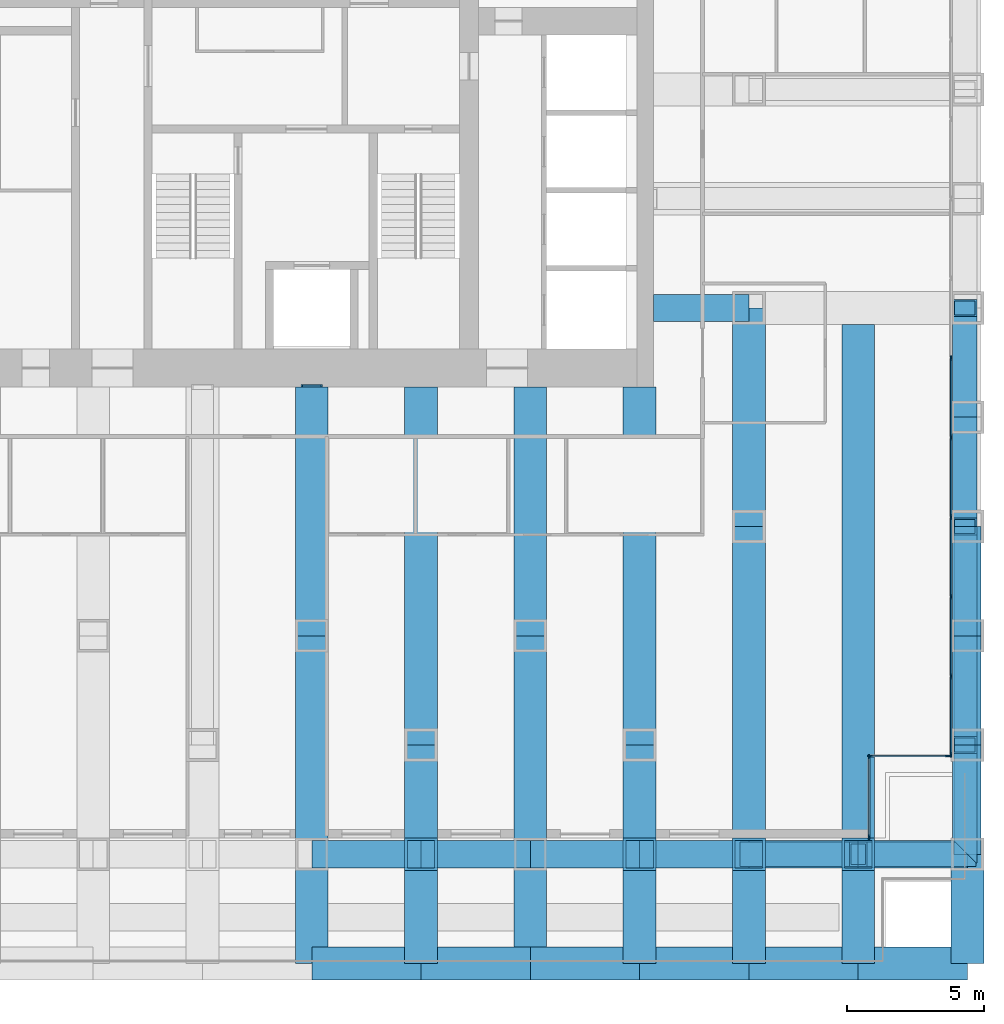
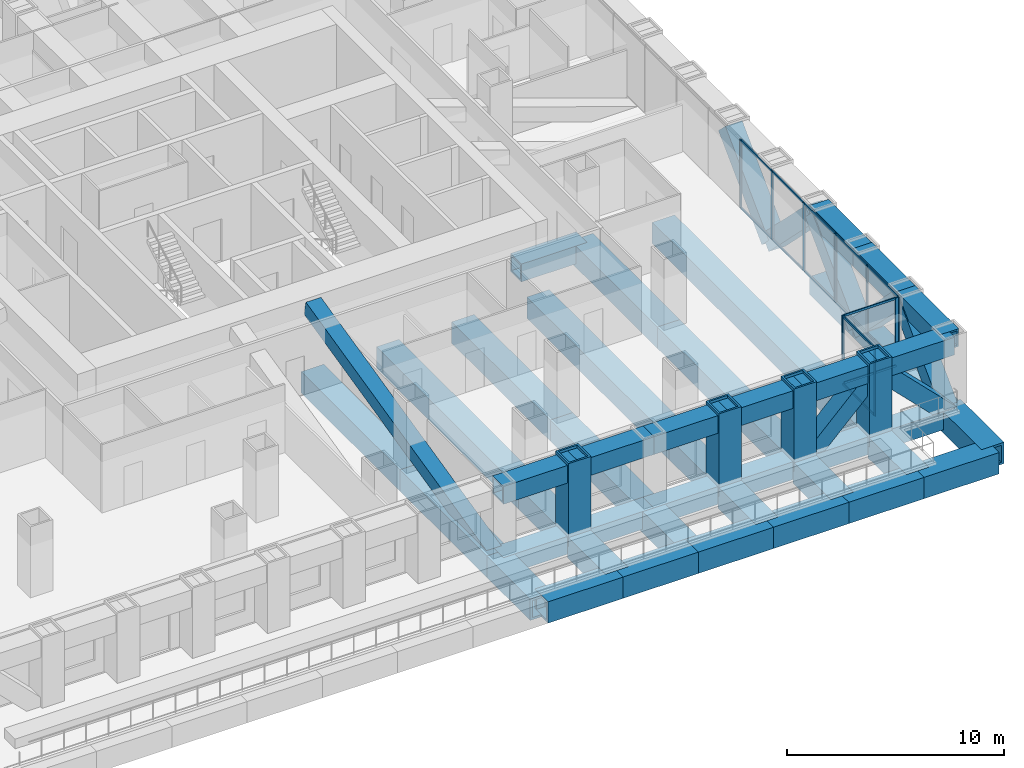
# One storey, part 5 of 18: 39 beams, 36 members, 3 elements without a shape of their own.
"""IFC4 building model written with IfcOpenShell, lengths in metres."""

from ifc_helpers import new_model, si_unit, direction, frame, origin, origin_2d, place, context, subcontext, project, spatial, rectangle, hollow_rectangle, extrude, material, material_profile, profile_set, type_object, element, aggregate, save


model = new_model("IFC4")

# Units and contexts
model_context = context("Model", 3, precision=1e-05, world=origin(), true_north=direction((0.0, 1.0)))
body_context = subcontext(model_context, "Body", "Model", "MODEL_VIEW")
ifc_project = project(units=[si_unit("LENGTHUNIT", "METRE"), si_unit("AREAUNIT", "SQUARE_METRE"), si_unit("VOLUMEUNIT", "CUBIC_METRE"), si_unit("PLANEANGLEUNIT", "RADIAN"), si_unit("MASSUNIT", "GRAM", prefix="KILO")], contexts=[model_context])

# Site, building, storey
site_placement = place(None, origin())
site = spatial("IfcSite", under=ifc_project, at=site_placement, CompositionType="ELEMENT")
building_placement = place(site_placement, origin())
building = spatial("IfcBuilding", under=site, at=building_placement, Name="Rimbunsela Tower", CompositionType="ELEMENT")
storey_placement = place(building_placement, frame((0.0, 0.0, 43.0)))
storey = spatial("IfcBuildingStorey", under=building, at=storey_placement, Name="L10", CompositionType="ELEMENT", Elevation=43.0)

# Beams
ifc_material_1 = material(Name="Steel BJ 55 (fy 410 MPa)", Category="steel")
ifc_material_profile_1 = material_profile(ifc_material_1, hollow_rectangle(XDim=1.0, YDim=1.0, WallThickness=0.10009765625, at=origin_2d()), Name="BOX 1000x1000x100")
ifc_profile_set_1 = profile_set([ifc_material_profile_1], Name="Steel BJ 55 (fy 410 MPa)")
beam_type_1 = type_object("IfcBeamType", Name="Beam BOX 1000x1000x100", PredefinedType="BEAM", material=ifc_profile_set_1)
beam_1_placement = place(storey_placement, frame((42.5, 20.0, -0.64990234375), z_axis=(1.0, 0.0, 0.0), x_axis=(0.0, 1.0, 0.0)))
element("IfcBeam", 1, at=beam_1_placement, inside=storey, type_object=beam_type_1, Name="Beam B3 L10", PredefinedType="BEAM", context=body_context, shape_type="SweptSolid", body=[
    extrude(hollow_rectangle(XDim=1.0, YDim=1.0, WallThickness=0.10009765625, at=origin_2d()), origin(), (0.0, 0.0, 1.0), 3.5),
])
ifc_material_2 = material(Name="Steel BJ 55 (fy 410 MPa)", Category="steel")
ifc_material_profile_2 = material_profile(ifc_material_2, hollow_rectangle(XDim=1.199951171875, YDim=1.199951171875, WallThickness=0.10009765625, at=origin_2d()), Name="BOX 1200x1200x100")
ifc_profile_set_2 = profile_set([ifc_material_profile_2], Name="Steel BJ 55 (fy 410 MPa)")
beam_type_2 = type_object("IfcBeamType", Name="Beam BOX 1200x1200x100", PredefinedType="BEAM", material=ifc_profile_set_2)
beam_2_placement = place(storey_placement, frame((30.0, 0.0, -0.75), z_axis=(0.0, 1.0, 0.0), x_axis=(-1.0, 0.0, 0.0)))
element("IfcBeam", 2, at=beam_2_placement, inside=storey, type_object=beam_type_2, Name="Beam B5 L10", PredefinedType="BEAM", context=body_context, shape_type="SweptSolid", body=[
    extrude(hollow_rectangle(XDim=1.199951171875, YDim=1.199951171875, WallThickness=0.10009765625, at=origin_2d()), origin(), (0.0, 0.0, 1.0), 8.0),
])
beam_3_placement = place(storey_placement, frame((30.0, 8.0, -0.75), z_axis=(0.0, 1.0, 0.0), x_axis=(-1.0, 0.0, 0.0)))
element("IfcBeam", 3, at=beam_3_placement, inside=storey, type_object=beam_type_2, Name="Beam B5 L10", PredefinedType="BEAM", context=body_context, shape_type="SweptSolid", body=[
    extrude(hollow_rectangle(XDim=1.199951171875, YDim=1.199951171875, WallThickness=0.10009765625, at=origin_2d()), origin(), (0.0, 0.0, 1.0), 9.10009765625),
])
beam_4_placement = place(storey_placement, frame((34.0, 0.5, -0.75), z_axis=(0.0, 1.0, 0.0), x_axis=(-1.0, 0.0, 0.0)))
element("IfcBeam", 4, at=beam_4_placement, inside=storey, type_object=beam_type_2, Name="Beam B5 L10", PredefinedType="BEAM", context=body_context, shape_type="SweptSolid", body=[
    extrude(hollow_rectangle(XDim=1.199951171875, YDim=1.199951171875, WallThickness=0.10009765625, at=origin_2d()), origin(), (0.0, 0.0, 1.0), 3.5),
])
beam_5_placement = place(storey_placement, frame((34.0, 4.0, -0.75), z_axis=(0.0, 1.0, 0.0), x_axis=(-1.0, 0.0, 0.0)))
element("IfcBeam", 5, at=beam_5_placement, inside=storey, type_object=beam_type_2, Name="Beam B5 L10", PredefinedType="BEAM", context=body_context, shape_type="SweptSolid", body=[
    extrude(hollow_rectangle(XDim=1.199951171875, YDim=1.199951171875, WallThickness=0.10009765625, at=origin_2d()), origin(), (0.0, 0.0, 1.0), 13.10009765625),
])
beam_6_placement = place(storey_placement, frame((38.0, 0.0, -0.75), z_axis=(0.0, 1.0, 0.0), x_axis=(-1.0, 0.0, 0.0)))
element("IfcBeam", 6, at=beam_6_placement, inside=storey, type_object=beam_type_2, Name="Beam B5 L10", PredefinedType="BEAM", context=body_context, shape_type="SweptSolid", body=[
    extrude(hollow_rectangle(XDim=1.199951171875, YDim=1.199951171875, WallThickness=0.10009765625, at=origin_2d()), origin(), (0.0, 0.0, 1.0), 8.0),
])
beam_7_placement = place(storey_placement, frame((38.0, 8.0, -0.75), z_axis=(0.0, 1.0, 0.0), x_axis=(-1.0, 0.0, 0.0)))
element("IfcBeam", 7, at=beam_7_placement, inside=storey, type_object=beam_type_2, Name="Beam B5 L10", PredefinedType="BEAM", context=body_context, shape_type="SweptSolid", body=[
    extrude(hollow_rectangle(XDim=1.199951171875, YDim=1.199951171875, WallThickness=0.10009765625, at=origin_2d()), origin(), (0.0, 0.0, 1.0), 9.10009765625),
])
beam_8_placement = place(storey_placement, frame((42.0, 0.5, -0.75), z_axis=(0.0, 1.0, 0.0), x_axis=(-1.0, 0.0, 0.0)))
element("IfcBeam", 8, at=beam_8_placement, inside=storey, type_object=beam_type_2, Name="Beam B5 L10", PredefinedType="BEAM", context=body_context, shape_type="SweptSolid", body=[
    extrude(hollow_rectangle(XDim=1.199951171875, YDim=1.199951171875, WallThickness=0.10009765625, at=origin_2d()), origin(), (0.0, 0.0, 1.0), 3.5),
])
beam_9_placement = place(storey_placement, frame((42.0, 4.0, -0.75), z_axis=(0.0, 1.0, 0.0), x_axis=(-1.0, 0.0, 0.0)))
element("IfcBeam", 9, at=beam_9_placement, inside=storey, type_object=beam_type_2, Name="Beam B5 L10", PredefinedType="BEAM", context=body_context, shape_type="SweptSolid", body=[
    extrude(hollow_rectangle(XDim=1.199951171875, YDim=1.199951171875, WallThickness=0.10009765625, at=origin_2d()), origin(), (0.0, 0.0, 1.0), 13.10009765625),
])
beam_10_placement = place(storey_placement, frame((46.0, 0.5, -0.75), z_axis=(0.0, 1.0, 0.0), x_axis=(-1.0, 0.0, 0.0)))
element("IfcBeam", 10, at=beam_10_placement, inside=storey, type_object=beam_type_2, Name="Beam B5 L10", PredefinedType="BEAM", context=body_context, shape_type="SweptSolid", body=[
    extrude(hollow_rectangle(XDim=1.199951171875, YDim=1.199951171875, WallThickness=0.10009765625, at=origin_2d()), origin(), (0.0, 0.0, 1.0), 11.5),
])
beam_11_placement = place(storey_placement, frame((46.0, 12.0, -0.75), z_axis=(0.0, 1.0, 0.0), x_axis=(-1.0, 0.0, 0.0)))
element("IfcBeam", 11, at=beam_11_placement, inside=storey, type_object=beam_type_2, Name="Beam B5 L10", PredefinedType="BEAM", context=body_context, shape_type="SweptSolid", body=[
    extrude(hollow_rectangle(XDim=1.199951171875, YDim=1.199951171875, WallThickness=0.10009765625, at=origin_2d()), origin(), (0.0, 0.0, 1.0), 8.0),
])
ifc_material_3 = material(Name="Steel BJ 55 (fy 410 MPa)", Category="steel")
ifc_material_profile_3 = material_profile(ifc_material_3, hollow_rectangle(XDim=1.199951171875, YDim=1.199951171875, WallThickness=0.125, at=origin_2d()), Name="BOX 1200x1200x125")
ifc_profile_set_3 = profile_set([ifc_material_profile_3], Name="Steel BJ 55 (fy 410 MPa)")
beam_type_3 = type_object("IfcBeamType", Name="Beam BOX 1200x1200x125", PredefinedType="BEAM", material=ifc_profile_set_3)
for number, where, z_axis, x_axis, name in (
    (12, (30.0, -4.0, -0.75), (0.0, 1.0, 0.0), (-1.0, 0.0, 0.0), "Beam B4 L10"),
    (13, (30.0, -4.0, -0.75), (1.0, 0.0, 0.0), (0.0, 1.0, 0.0), "Beam B4 L10"),
):
    element("IfcBeam", number, at=place(storey_placement, frame(where, z_axis=z_axis, x_axis=x_axis)), inside=storey, type_object=beam_type_3, Name=name, PredefinedType="BEAM", context=body_context, shape_type="SweptSolid", body=[
        extrude(hollow_rectangle(XDim=1.199951171875, YDim=1.199951171875, WallThickness=0.125, at=origin_2d()), origin(), (0.0, 0.0, 1.0), 4.0),
    ])
beam_12_placement = place(storey_placement, frame((34.0, -4.0, -0.75), z_axis=(0.0, 1.0, 0.0), x_axis=(-1.0, 0.0, 0.0)))
element("IfcBeam", 14, at=beam_12_placement, inside=storey, type_object=beam_type_3, Name="Beam B4 L10", PredefinedType="BEAM", context=body_context, shape_type="SweptSolid", body=[
    extrude(hollow_rectangle(XDim=1.199951171875, YDim=1.199951171875, WallThickness=0.125, at=origin_2d()), origin(), (0.0, 0.0, 1.0), 3.5),
])
for number, where, z_axis, x_axis, name in (
    (15, (34.0, -4.0, -0.75), (1.0, 0.0, 0.0), (0.0, 1.0, 0.0), "Beam B4 L10"),
    (16, (38.0, -4.0, -0.75), (0.0, 1.0, 0.0), (-1.0, 0.0, 0.0), "Beam B4 L10"),
    (17, (38.0, -4.0, -0.75), (1.0, 0.0, 0.0), (0.0, 1.0, 0.0), "Beam B4 L10"),
):
    element("IfcBeam", number, at=place(storey_placement, frame(where, z_axis=z_axis, x_axis=x_axis)), inside=storey, type_object=beam_type_3, Name=name, PredefinedType="BEAM", context=body_context, shape_type="SweptSolid", body=[
        extrude(hollow_rectangle(XDim=1.199951171875, YDim=1.199951171875, WallThickness=0.125, at=origin_2d()), origin(), (0.0, 0.0, 1.0), 4.0),
    ])
beam_13_placement = place(storey_placement, frame((42.0, -4.0, -0.75), z_axis=(0.0, 1.0, 0.0), x_axis=(-1.0, 0.0, 0.0)))
element("IfcBeam", 18, at=beam_13_placement, inside=storey, type_object=beam_type_3, Name="Beam B4 L10", PredefinedType="BEAM", context=body_context, shape_type="SweptSolid", body=[
    extrude(hollow_rectangle(XDim=1.199951171875, YDim=1.199951171875, WallThickness=0.125, at=origin_2d()), origin(), (0.0, 0.0, 1.0), 3.5),
])
beam_14_placement = place(storey_placement, frame((42.0, -4.0, -0.75), z_axis=(1.0, 0.0, 0.0), x_axis=(0.0, 1.0, 0.0)))
element("IfcBeam", 19, at=beam_14_placement, inside=storey, type_object=beam_type_3, Name="Beam B4 L10", PredefinedType="BEAM", context=body_context, shape_type="SweptSolid", body=[
    extrude(hollow_rectangle(XDim=1.199951171875, YDim=1.199951171875, WallThickness=0.125, at=origin_2d()), origin(), (0.0, 0.0, 1.0), 4.0),
])
beam_15_placement = place(storey_placement, frame((46.0, -4.0, -0.75), z_axis=(0.0, 1.0, 0.0), x_axis=(-1.0, 0.0, 0.0)))
element("IfcBeam", 20, at=beam_15_placement, inside=storey, type_object=beam_type_3, Name="Beam B4 L10", PredefinedType="BEAM", context=body_context, shape_type="SweptSolid", body=[
    extrude(hollow_rectangle(XDim=1.199951171875, YDim=1.199951171875, WallThickness=0.125, at=origin_2d()), origin(), (0.0, 0.0, 1.0), 3.5),
])
beam_16_placement = place(storey_placement, frame((46.0, -4.0, -0.75), z_axis=(1.0, 0.0, 0.0), x_axis=(0.0, 1.0, 0.0)))
element("IfcBeam", 21, at=beam_16_placement, inside=storey, type_object=beam_type_3, Name="Beam B4 L10", PredefinedType="BEAM", context=body_context, shape_type="SweptSolid", body=[
    extrude(hollow_rectangle(XDim=1.199951171875, YDim=1.199951171875, WallThickness=0.125, at=origin_2d()), origin(), (0.0, 0.0, 1.0), 4.0),
])
beam_17_placement = place(storey_placement, frame((50.0, -4.0, -0.75), z_axis=(0.0, 1.0, 0.0), x_axis=(-1.0, 0.0, 0.0)))
element("IfcBeam", 22, at=beam_17_placement, inside=storey, type_object=beam_type_3, Name="Beam B4 L10", PredefinedType="BEAM", context=body_context, shape_type="SweptSolid", body=[
    extrude(hollow_rectangle(XDim=1.199951171875, YDim=1.199951171875, WallThickness=0.125, at=origin_2d()), origin(), (0.0, 0.0, 1.0), 3.5),
])
beam_18_placement = place(storey_placement, frame((50.0, -4.0, -0.75), z_axis=(1.0, 0.0, 0.0), x_axis=(0.0, 1.0, 0.0)))
element("IfcBeam", 23, at=beam_18_placement, inside=storey, type_object=beam_type_3, Name="Beam B4 L10", PredefinedType="BEAM", context=body_context, shape_type="SweptSolid", body=[
    extrude(hollow_rectangle(XDim=1.199951171875, YDim=1.199951171875, WallThickness=0.125, at=origin_2d()), origin(), (0.0, 0.0, 1.0), 4.0),
])
beam_19_placement = place(storey_placement, frame((50.0, 0.5, -0.75), z_axis=(0.0, 1.0, 0.0), x_axis=(-1.0, 0.0, 0.0)))
element("IfcBeam", 24, at=beam_19_placement, inside=storey, type_object=beam_type_3, Name="Beam B4 L10", PredefinedType="BEAM", context=body_context, shape_type="SweptSolid", body=[
    extrude(hollow_rectangle(XDim=1.199951171875, YDim=1.199951171875, WallThickness=0.125, at=origin_2d()), origin(), (0.0, 0.0, 1.0), 18.89990234375),
])
beam_20_placement = place(storey_placement, frame((54.0, -4.0, -0.75), z_axis=(0.0, 1.0, 0.0), x_axis=(-1.0, 0.0, 0.0)))
element("IfcBeam", 25, at=beam_20_placement, inside=storey, type_object=beam_type_3, Name="Beam B4 L10", PredefinedType="BEAM", context=body_context, shape_type="SweptSolid", body=[
    extrude(hollow_rectangle(XDim=1.199951171875, YDim=1.199951171875, WallThickness=0.125, at=origin_2d()), origin(), (0.0, 0.0, 1.0), 4.0),
])

# Curtain wall, members
ifc_material_4 = material(Name="Aluminium curtain wall", Category="aluminium")
curtain_wall_type_1 = type_object("IfcCurtainWallType", Name="Corner glazing", PredefinedType="USERDEFINED", material=ifc_material_4)
curtain_wall_1_placement = place(storey_placement, origin())
curtain_wall_1 = element("IfcCurtainWall", 26, at=curtain_wall_1_placement, inside=storey, type_object=curtain_wall_type_1, Name="Corner glazing L10", ObjectType="CORNER GLAZING", PredefinedType="USERDEFINED")
ifc_material_5 = material(Name="Aluminium mullion", Category="aluminium")
ifc_material_profile_4 = material_profile(ifc_material_5, rectangle(XDim=0.06005859375, YDim=0.159912109375, at=origin_2d()), Name="Mullion 60x160")
ifc_profile_set_4 = profile_set([ifc_material_profile_4], Name="Aluminium mullion")
member_type_1 = type_object("IfcMemberType", Name="Curtain wall mullion 60x160", PredefinedType="MULLION", material=ifc_profile_set_4)
member_1_placement = place(storey_placement, frame((50.39990234375, 0.6298828125, 0.0), z_axis=(0.0, 0.0, 1.0), x_axis=(-1.0, 0.0, 0.0)))
member_1 = element("IfcMember", 27, at=member_1_placement, type_object=member_type_1, Name="CW5 mullion 1", PredefinedType="MULLION", context=body_context, shape_type="SweptSolid", body=[
    extrude(rectangle(XDim=0.06005859375, YDim=0.159912109375, at=origin_2d()), origin(), (0.0, 0.0, 1.0), 3.85009765625),
])
member_2_placement = place(storey_placement, frame((50.39990234375, 3.570068359375, 0.0), z_axis=(0.0, 0.0, 1.0), x_axis=(-1.0, 0.0, 0.0)))
member_2 = element("IfcMember", 28, at=member_2_placement, type_object=member_type_1, Name="CW5 mullion 2", PredefinedType="MULLION", context=body_context, shape_type="SweptSolid", body=[
    extrude(rectangle(XDim=0.06005859375, YDim=0.159912109375, at=origin_2d()), origin(), (0.0, 0.0, 1.0), 3.85009765625),
])

curtain_wall_2_placement = place(storey_placement, origin())
curtain_wall_2 = element("IfcCurtainWall", 29, at=curtain_wall_2_placement, inside=storey, type_object=curtain_wall_type_1, Name="Corner glazing L10", ObjectType="CORNER GLAZING", PredefinedType="USERDEFINED")
member_3_placement = place(storey_placement, frame((50.429931640625, 3.60009765625, 0.0), z_axis=(0.0, 0.0, 1.0), x_axis=(0.0, 1.0, 0.0)))
member_3 = element("IfcMember", 30, at=member_3_placement, type_object=member_type_1, Name="CW5 mullion 1", PredefinedType="MULLION", context=body_context, shape_type="SweptSolid", body=[
    extrude(rectangle(XDim=0.06005859375, YDim=0.159912109375, at=origin_2d()), origin(), (0.0, 0.0, 1.0), 3.85009765625),
])
member_4_placement = place(storey_placement, frame((53.27001953125, 3.60009765625, 0.0), z_axis=(0.0, 0.0, 1.0), x_axis=(0.0, 1.0, 0.0)))
member_4 = element("IfcMember", 31, at=member_4_placement, type_object=member_type_1, Name="CW5 mullion 2", PredefinedType="MULLION", context=body_context, shape_type="SweptSolid", body=[
    extrude(rectangle(XDim=0.06005859375, YDim=0.159912109375, at=origin_2d()), origin(), (0.0, 0.0, 1.0), 3.85009765625),
])

ifc_material_6 = material(Name="Aluminium curtain wall", Category="aluminium")
curtain_wall_type_2 = type_object("IfcCurtainWallType", Name="Exoskeleton storey infill", PredefinedType="USERDEFINED", material=ifc_material_6)
curtain_wall_3_placement = place(storey_placement, origin())
curtain_wall_3 = element("IfcCurtainWall", 32, at=curtain_wall_3_placement, inside=storey, type_object=curtain_wall_type_2, Name="Exoskeleton storey infill L10", ObjectType="EXOSKELETON STOREY INFILL", PredefinedType="USERDEFINED")
member_5_placement = place(storey_placement, frame((53.39990234375, 3.6298828125, 0.0), z_axis=(0.0, 0.0, 1.0), x_axis=(-1.0, 0.0, 0.0)))
member_5 = element("IfcMember", 33, at=member_5_placement, type_object=member_type_1, Name="CW2 mullion 1", PredefinedType="MULLION", context=body_context, shape_type="SweptSolid", body=[
    extrude(rectangle(XDim=0.06005859375, YDim=0.159912109375, at=origin_2d()), origin(), (0.0, 0.0, 1.0), 3.85009765625),
])
member_6_placement = place(storey_placement, frame((53.39990234375, 6.514404296875, 0.0), z_axis=(0.0, 0.0, 1.0), x_axis=(-1.0, 0.0, 0.0)))
member_6 = element("IfcMember", 34, at=member_6_placement, type_object=member_type_1, Name="CW2 mullion 2", PredefinedType="MULLION", context=body_context, shape_type="SweptSolid", body=[
    extrude(rectangle(XDim=0.06005859375, YDim=0.159912109375, at=origin_2d()), origin(), (0.0, 0.0, 1.0), 3.85009765625),
])
member_7_placement = place(storey_placement, frame((53.39990234375, 9.428466796875, 0.0), z_axis=(0.0, 0.0, 1.0), x_axis=(-1.0, 0.0, 0.0)))
member_7 = element("IfcMember", 35, at=member_7_placement, type_object=member_type_1, Name="CW2 mullion 3", PredefinedType="MULLION", context=body_context, shape_type="SweptSolid", body=[
    extrude(rectangle(XDim=0.06005859375, YDim=0.159912109375, at=origin_2d()), origin(), (0.0, 0.0, 1.0), 3.85009765625),
])
member_8_placement = place(storey_placement, frame((53.39990234375, 12.3427734375, 0.0), z_axis=(0.0, 0.0, 1.0), x_axis=(-1.0, 0.0, 0.0)))
member_8 = element("IfcMember", 36, at=member_8_placement, type_object=member_type_1, Name="CW2 mullion 4", PredefinedType="MULLION", context=body_context, shape_type="SweptSolid", body=[
    extrude(rectangle(XDim=0.06005859375, YDim=0.159912109375, at=origin_2d()), origin(), (0.0, 0.0, 1.0), 3.85009765625),
])
member_9_placement = place(storey_placement, frame((53.39990234375, 15.257080078125, 0.0), z_axis=(0.0, 0.0, 1.0), x_axis=(-1.0, 0.0, 0.0)))
member_9 = element("IfcMember", 37, at=member_9_placement, type_object=member_type_1, Name="CW2 mullion 5", PredefinedType="MULLION", context=body_context, shape_type="SweptSolid", body=[
    extrude(rectangle(XDim=0.06005859375, YDim=0.159912109375, at=origin_2d()), origin(), (0.0, 0.0, 1.0), 3.85009765625),
])
member_10_placement = place(storey_placement, frame((53.39990234375, 18.17138671875, 0.0), z_axis=(0.0, 0.0, 1.0), x_axis=(-1.0, 0.0, 0.0)))
member_10 = element("IfcMember", 38, at=member_10_placement, type_object=member_type_1, Name="CW2 mullion 6", PredefinedType="MULLION", context=body_context, shape_type="SweptSolid", body=[
    extrude(rectangle(XDim=0.06005859375, YDim=0.159912109375, at=origin_2d()), origin(), (0.0, 0.0, 1.0), 3.85009765625),
])

# Member
ifc_material_7 = material(Name="Aluminium transom", Category="aluminium")
ifc_material_profile_5 = material_profile(ifc_material_7, rectangle(XDim=0.06005859375, YDim=0.1201171875, at=origin_2d()), Name="Transom 60x120")
ifc_profile_set_5 = profile_set([ifc_material_profile_5], Name="Aluminium transom")
member_type_2 = type_object("IfcMemberType", Name="Curtain wall transom 60x120", PredefinedType="USERDEFINED", material=ifc_profile_set_5)
member_11_placement = place(storey_placement, frame((50.39990234375, 0.659912109375, 0.030029296875), z_axis=(0.0, 1.0, 0.0), x_axis=(-1.0, 0.0, 0.0)))
member_11 = element("IfcMember", 39, at=member_11_placement, type_object=member_type_2, Name="CW5 transom 1.1", ObjectType="TRANSOM", PredefinedType="USERDEFINED", context=body_context, shape_type="SweptSolid", body=[
    extrude(rectangle(XDim=0.06005859375, YDim=0.1201171875, at=origin_2d()), origin(), (0.0, 0.0, 1.0), 2.880126953125),
])

member_12_placement = place(storey_placement, frame((50.39990234375, 0.659912109375, 3.820068359375), z_axis=(0.0, 1.0, 0.0), x_axis=(-1.0, 0.0, 0.0)))
member_12 = element("IfcMember", 40, at=member_12_placement, type_object=member_type_2, Name="CW5 transom 1.2", ObjectType="TRANSOM", PredefinedType="USERDEFINED", context=body_context, shape_type="SweptSolid", body=[
    extrude(rectangle(XDim=0.06005859375, YDim=0.1201171875, at=origin_2d()), origin(), (0.0, 0.0, 1.0), 2.880126953125),
])

aggregate(curtain_wall_1, [member_1, member_2, member_11, member_12])

member_13_placement = place(storey_placement, frame((50.4599609375, 3.60009765625, 0.030029296875), z_axis=(1.0, 0.0, 0.0), x_axis=(0.0, 1.0, 0.0)))
member_13 = element("IfcMember", 41, at=member_13_placement, type_object=member_type_2, Name="CW5 transom 1.1", ObjectType="TRANSOM", PredefinedType="USERDEFINED", context=body_context, shape_type="SweptSolid", body=[
    extrude(rectangle(XDim=0.06005859375, YDim=0.1201171875, at=origin_2d()), origin(), (0.0, 0.0, 1.0), 2.780029296875),
])

member_14_placement = place(storey_placement, frame((50.4599609375, 3.60009765625, 3.820068359375), z_axis=(1.0, 0.0, 0.0), x_axis=(0.0, 1.0, 0.0)))
member_14 = element("IfcMember", 42, at=member_14_placement, type_object=member_type_2, Name="CW5 transom 1.2", ObjectType="TRANSOM", PredefinedType="USERDEFINED", context=body_context, shape_type="SweptSolid", body=[
    extrude(rectangle(XDim=0.06005859375, YDim=0.1201171875, at=origin_2d()), origin(), (0.0, 0.0, 1.0), 2.780029296875),
])

aggregate(curtain_wall_2, [member_3, member_4, member_13, member_14])

member_15_placement = place(storey_placement, frame((53.39990234375, 3.659912109375, 0.030029296875), z_axis=(0.0, 1.0, 0.0), x_axis=(-1.0, 0.0, 0.0)))
member_15 = element("IfcMember", 43, at=member_15_placement, type_object=member_type_2, Name="CW2 transom 1.1", ObjectType="TRANSOM", PredefinedType="USERDEFINED", context=body_context, shape_type="SweptSolid", body=[
    extrude(rectangle(XDim=0.06005859375, YDim=0.1201171875, at=origin_2d()), origin(), (0.0, 0.0, 1.0), 2.824462890625),
])

member_16_placement = place(storey_placement, frame((53.39990234375, 3.659912109375, 3.820068359375), z_axis=(0.0, 1.0, 0.0), x_axis=(-1.0, 0.0, 0.0)))
member_16 = element("IfcMember", 44, at=member_16_placement, type_object=member_type_2, Name="CW2 transom 1.2", ObjectType="TRANSOM", PredefinedType="USERDEFINED", context=body_context, shape_type="SweptSolid", body=[
    extrude(rectangle(XDim=0.06005859375, YDim=0.1201171875, at=origin_2d()), origin(), (0.0, 0.0, 1.0), 2.824462890625),
])

member_17_placement = place(storey_placement, frame((53.39990234375, 6.544189453125, 0.030029296875), z_axis=(0.0, 1.0, 0.0), x_axis=(-1.0, 0.0, 0.0)))
member_17 = element("IfcMember", 45, at=member_17_placement, type_object=member_type_2, Name="CW2 transom 2.1", ObjectType="TRANSOM", PredefinedType="USERDEFINED", context=body_context, shape_type="SweptSolid", body=[
    extrude(rectangle(XDim=0.06005859375, YDim=0.1201171875, at=origin_2d()), origin(), (0.0, 0.0, 1.0), 2.8544921875),
])

member_18_placement = place(storey_placement, frame((53.39990234375, 6.544189453125, 3.820068359375), z_axis=(0.0, 1.0, 0.0), x_axis=(-1.0, 0.0, 0.0)))
member_18 = element("IfcMember", 46, at=member_18_placement, type_object=member_type_2, Name="CW2 transom 2.2", ObjectType="TRANSOM", PredefinedType="USERDEFINED", context=body_context, shape_type="SweptSolid", body=[
    extrude(rectangle(XDim=0.06005859375, YDim=0.1201171875, at=origin_2d()), origin(), (0.0, 0.0, 1.0), 2.8544921875),
])

member_19_placement = place(storey_placement, frame((53.39990234375, 9.45849609375, 0.030029296875), z_axis=(0.0, 1.0, 0.0), x_axis=(-1.0, 0.0, 0.0)))
member_19 = element("IfcMember", 47, at=member_19_placement, type_object=member_type_2, Name="CW2 transom 3.1", ObjectType="TRANSOM", PredefinedType="USERDEFINED", context=body_context, shape_type="SweptSolid", body=[
    extrude(rectangle(XDim=0.06005859375, YDim=0.1201171875, at=origin_2d()), origin(), (0.0, 0.0, 1.0), 2.854248046875),
])

member_20_placement = place(storey_placement, frame((53.39990234375, 9.45849609375, 3.820068359375), z_axis=(0.0, 1.0, 0.0), x_axis=(-1.0, 0.0, 0.0)))
member_20 = element("IfcMember", 48, at=member_20_placement, type_object=member_type_2, Name="CW2 transom 3.2", ObjectType="TRANSOM", PredefinedType="USERDEFINED", context=body_context, shape_type="SweptSolid", body=[
    extrude(rectangle(XDim=0.06005859375, YDim=0.1201171875, at=origin_2d()), origin(), (0.0, 0.0, 1.0), 2.854248046875),
])

member_21_placement = place(storey_placement, frame((53.39990234375, 12.372802734375, 0.030029296875), z_axis=(0.0, 1.0, 0.0), x_axis=(-1.0, 0.0, 0.0)))
member_21 = element("IfcMember", 49, at=member_21_placement, type_object=member_type_2, Name="CW2 transom 4.1", ObjectType="TRANSOM", PredefinedType="USERDEFINED", context=body_context, shape_type="SweptSolid", body=[
    extrude(rectangle(XDim=0.06005859375, YDim=0.1201171875, at=origin_2d()), origin(), (0.0, 0.0, 1.0), 2.854248046875),
])

member_22_placement = place(storey_placement, frame((53.39990234375, 12.372802734375, 3.820068359375), z_axis=(0.0, 1.0, 0.0), x_axis=(-1.0, 0.0, 0.0)))
member_22 = element("IfcMember", 50, at=member_22_placement, type_object=member_type_2, Name="CW2 transom 4.2", ObjectType="TRANSOM", PredefinedType="USERDEFINED", context=body_context, shape_type="SweptSolid", body=[
    extrude(rectangle(XDim=0.06005859375, YDim=0.1201171875, at=origin_2d()), origin(), (0.0, 0.0, 1.0), 2.854248046875),
])

member_23_placement = place(storey_placement, frame((53.39990234375, 15.287109375, 0.030029296875), z_axis=(0.0, 1.0, 0.0), x_axis=(-1.0, 0.0, 0.0)))
member_23 = element("IfcMember", 51, at=member_23_placement, type_object=member_type_2, Name="CW2 transom 5.1", ObjectType="TRANSOM", PredefinedType="USERDEFINED", context=body_context, shape_type="SweptSolid", body=[
    extrude(rectangle(XDim=0.06005859375, YDim=0.1201171875, at=origin_2d()), origin(), (0.0, 0.0, 1.0), 2.854248046875),
])

member_24_placement = place(storey_placement, frame((53.39990234375, 15.287109375, 3.820068359375), z_axis=(0.0, 1.0, 0.0), x_axis=(-1.0, 0.0, 0.0)))
member_24 = element("IfcMember", 52, at=member_24_placement, type_object=member_type_2, Name="CW2 transom 5.2", ObjectType="TRANSOM", PredefinedType="USERDEFINED", context=body_context, shape_type="SweptSolid", body=[
    extrude(rectangle(XDim=0.06005859375, YDim=0.1201171875, at=origin_2d()), origin(), (0.0, 0.0, 1.0), 2.854248046875),
])

aggregate(curtain_wall_3, [member_5, member_6, member_7, member_8, member_9, member_10, member_15, member_16, member_17, member_18, member_19, member_20, member_21, member_22, member_23, member_24])

ifc_material_8 = material(Name="Steel BJ 55 (fy 410 MPa)", Category="steel")
ifc_material_profile_6 = material_profile(ifc_material_8, hollow_rectangle(XDim=0.800048828125, YDim=0.800048828125, WallThickness=0.06005859375, at=origin_2d()), Name="BOX 800x800x60")
ifc_profile_set_6 = profile_set([ifc_material_profile_6], Name="Steel BJ 55 (fy 410 MPa)")
member_type_3 = type_object("IfcMemberType", Name="Outrigger brace BOX 800x800x60", PredefinedType="BRACE", material=ifc_profile_set_6)
member_25_placement = place(storey_placement, frame((30.0, 0.0, -0.64990234375), z_axis=(0.0, 0.973715343185, 0.22776837016), x_axis=(-1.0, 0.0, 0.0)))
element("IfcMember", 53, at=member_25_placement, inside=storey, type_object=member_type_3, Name="Outrigger brace OB1 S L10", PredefinedType="BRACE", context=body_context, shape_type="SweptSolid", body=[
    extrude(hollow_rectangle(XDim=0.800048828125, YDim=0.800048828125, WallThickness=0.06005859375, at=origin_2d()), origin(), (0.0, 0.0, 1.0), 17.561767578125),
])

# Beams
ifc_material_9 = material(Name="Steel BJ 55 (fy 410 MPa)", Category="steel")
ifc_material_profile_7 = material_profile(ifc_material_9, hollow_rectangle(XDim=1.0, YDim=1.0, WallThickness=0.10009765625, at=origin_2d()), Name="BOX 1000x1000x100")
ifc_profile_set_7 = profile_set([ifc_material_profile_7], Name="Steel BJ 55 (fy 410 MPa)")
beam_type_4 = type_object("IfcBeamType", Name="Truss chord BOX 1000x1000x100", PredefinedType="USERDEFINED", material=ifc_profile_set_7)
for number, where, z_axis, x_axis, name in (
    (54, (30.0, 0.0, 3.35009765625), (1.0, 0.0, 0.0), (0.0, 1.0, 0.0), "Truss top chord TC1 S face L10"),
    (55, (34.0, 0.0, 3.35009765625), (1.0, 0.0, 0.0), (0.0, 1.0, 0.0), "Truss top chord TC1 S face L10"),
    (56, (38.0, 0.0, 3.35009765625), (1.0, 0.0, 0.0), (0.0, 1.0, 0.0), "Truss top chord TC1 S face L10"),
    (57, (42.0, 0.0, 3.35009765625), (1.0, 0.0, 0.0), (0.0, 1.0, 0.0), "Truss top chord TC1 S face L10"),
    (58, (46.0, 0.0, 3.35009765625), (1.0, 0.0, 0.0), (0.0, 1.0, 0.0), "Truss top chord TC1 S face L10"),
    (59, (50.0, 0.0, 3.35009765625), (1.0, 0.0, 0.0), (0.0, 1.0, 0.0), "Truss top chord TC1 S face L10"),
    (60, (54.0, 0.0, 3.35009765625), (0.0, 1.0, 0.0), (-1.0, 0.0, 0.0), "Truss top chord TC1 E face L10"),
    (61, (54.0, 4.0, 3.35009765625), (0.0, 1.0, 0.0), (-1.0, 0.0, 0.0), "Truss top chord TC1 E face L10"),
    (62, (54.0, 8.0, 3.35009765625), (0.0, 1.0, 0.0), (-1.0, 0.0, 0.0), "Truss top chord TC1 E face L10"),
):
    element("IfcBeam", number, at=place(storey_placement, frame(where, z_axis=z_axis, x_axis=x_axis)), inside=storey, type_object=beam_type_4, Name=name, ObjectType="TRUSS CHORD", PredefinedType="USERDEFINED", context=body_context, shape_type="SweptSolid", body=[
        extrude(hollow_rectangle(XDim=1.0, YDim=1.0, WallThickness=0.10009765625, at=origin_2d()), origin(), (0.0, 0.0, 1.0), 4.0),
    ])
beam_21_placement = place(storey_placement, frame((30.0, 0.0, -0.64990234375), z_axis=(1.0, 0.0, 0.0), x_axis=(0.0, 1.0, 0.0)))
element("IfcBeam", 63, at=beam_21_placement, inside=storey, type_object=beam_type_4, Name="Truss bottom chord TC1 S face L10", ObjectType="TRUSS CHORD", PredefinedType="USERDEFINED", context=body_context, shape_type="SweptSolid", body=[
    extrude(hollow_rectangle(XDim=1.0, YDim=1.0, WallThickness=0.10009765625, at=origin_2d()), origin(), (0.0, 0.0, 1.0), 8.0),
])
beam_22_placement = place(storey_placement, frame((38.0, 0.0, -0.64990234375), z_axis=(1.0, 0.0, 0.0), x_axis=(0.0, 1.0, 0.0)))
element("IfcBeam", 64, at=beam_22_placement, inside=storey, type_object=beam_type_4, Name="Truss bottom chord TC1 S face L10", ObjectType="TRUSS CHORD", PredefinedType="USERDEFINED", context=body_context, shape_type="SweptSolid", body=[
    extrude(hollow_rectangle(XDim=1.0, YDim=1.0, WallThickness=0.10009765625, at=origin_2d()), origin(), (0.0, 0.0, 1.0), 16.0),
])
for number, where, z_axis, x_axis, name in (
    (65, (54.0, 0.0, -0.64990234375), (0.0, 1.0, 0.0), (-1.0, 0.0, 0.0), "Truss bottom chord TC1 E face L10"),
    (66, (54.0, 4.0, -0.64990234375), (0.0, 1.0, 0.0), (-1.0, 0.0, 0.0), "Truss bottom chord TC1 E face L10"),
    (67, (54.0, 8.0, -0.64990234375), (0.0, 1.0, 0.0), (-1.0, 0.0, 0.0), "Truss bottom chord TC1 E face L10"),
):
    element("IfcBeam", number, at=place(storey_placement, frame(where, z_axis=z_axis, x_axis=x_axis)), inside=storey, type_object=beam_type_4, Name=name, ObjectType="TRUSS CHORD", PredefinedType="USERDEFINED", context=body_context, shape_type="SweptSolid", body=[
        extrude(hollow_rectangle(XDim=1.0, YDim=1.0, WallThickness=0.10009765625, at=origin_2d()), origin(), (0.0, 0.0, 1.0), 4.0),
    ])

# Members
ifc_material_10 = material(Name="Steel BJ 55 (fy 410 MPa)", Category="steel")
ifc_material_profile_8 = material_profile(ifc_material_10, hollow_rectangle(XDim=0.89990234375, YDim=0.89990234375, WallThickness=0.080078125, at=origin_2d()), Name="BOX 900x900x80")
ifc_profile_set_8 = profile_set([ifc_material_profile_8], Name="Steel BJ 55 (fy 410 MPa)")
member_type_4 = type_object("IfcMemberType", Name="Truss diagonal BOX 900x900x80", PredefinedType="BRACE", material=ifc_profile_set_8)
for number, where, z_axis, x_axis, name in (
    (68, (46.0, 0.0, -0.64990234375), (0.707106781187, 0.0, 0.707106781187), (0.0, 1.0, 0.0), "Truss diagonal TD1 S face L10"),
    (69, (50.0, 0.0, 3.35009765625), (0.707106781187, 0.0, -0.707106781187), (0.0, 1.0, 0.0), "Truss diagonal TD1 S face L10"),
    (70, (53.89990234375, 0.0, -0.64990234375), (0.0, 0.707106781187, 0.707106781187), (-1.0, 0.0, 0.0), "Truss diagonal TD1 E face L10"),
    (71, (53.89990234375, 4.0, 3.35009765625), (0.0, 0.707106781187, -0.707106781187), (-1.0, 0.0, 0.0), "Truss diagonal TD1 E face L10"),
    (72, (53.89990234375, 8.0, -0.64990234375), (0.0, 0.707106781187, 0.707106781187), (-1.0, 0.0, 0.0), "Truss diagonal TD1 E face L10"),
    (73, (53.89990234375, 12.0, 3.35009765625), (0.0, 0.707106781187, -0.707106781187), (-1.0, 0.0, 0.0), "Truss diagonal TD1 E face L10"),
    (74, (53.89990234375, 16.0, -0.64990234375), (0.0, 0.707106781187, 0.707106781187), (-1.0, 0.0, 0.0), "Truss diagonal TD1 E face L10"),
):
    element("IfcMember", number, at=place(storey_placement, frame(where, z_axis=z_axis, x_axis=x_axis)), inside=storey, type_object=member_type_4, Name=name, PredefinedType="BRACE", context=body_context, shape_type="SweptSolid", body=[
        extrude(hollow_rectangle(XDim=0.89990234375, YDim=0.89990234375, WallThickness=0.080078125, at=origin_2d()), origin(), (0.0, 0.0, 1.0), 5.65673828125),
    ])
ifc_material_11 = material(Name="Steel BJ 55 (fy 410 MPa)", Category="steel")
ifc_material_profile_9 = material_profile(ifc_material_11, hollow_rectangle(XDim=1.199951171875, YDim=1.199951171875, WallThickness=0.10009765625, at=origin_2d()), Name="BOX 1200x1200x100")
ifc_profile_set_9 = profile_set([ifc_material_profile_9], Name="Steel BJ 55 (fy 410 MPa)")
member_type_5 = type_object("IfcMemberType", Name="Truss post BOX 1200x1200x100", PredefinedType="POST", material=ifc_profile_set_9)
for number, where, z_axis, x_axis, name in (
    (75, (34.0, 0.0, -0.64990234375), (0.0, 0.0, 1.0), (1.0, 0.0, 0.0), "Truss post TP1 11/B L10"),
    (76, (42.0, 0.0, -0.64990234375), (0.0, 0.0, 1.0), (1.0, 0.0, 0.0), "Truss post TP1 13/B L10"),
    (77, (46.0, 0.0, -0.64990234375), (0.0, 0.0, 1.0), (1.0, 0.0, 0.0), "Truss post TP1 14/B L10"),
    (78, (50.0, 0.0, -0.64990234375), (0.0, 0.0, 1.0), (1.0, 0.0, 0.0), "Truss post TP1 15/B L10"),
):
    element("IfcMember", number, at=place(storey_placement, frame(where, z_axis=z_axis, x_axis=x_axis)), inside=storey, type_object=member_type_5, Name=name, PredefinedType="POST", context=body_context, shape_type="SweptSolid", body=[
        extrude(hollow_rectangle(XDim=1.199951171875, YDim=1.199951171875, WallThickness=0.10009765625, at=origin_2d()), origin(), (0.0, 0.0, 1.0), 4.64990234375),
    ])

save(model, "model.ifc")
